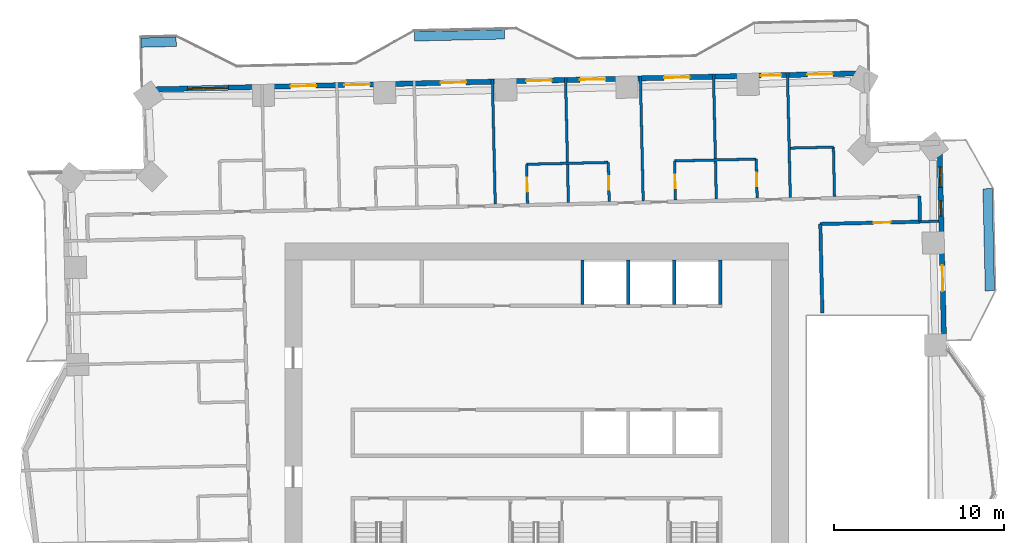
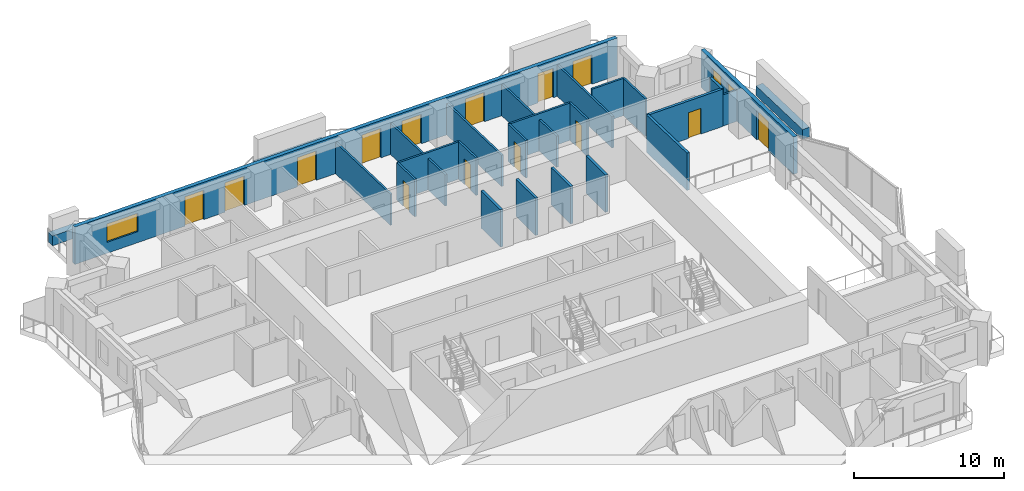
# One storey, part 11 of 16: 26 walls, 14 doors, 3 windows, 17 openings.
"""IFC4 building model written with IfcOpenShell, lengths in metres."""

from ifc_helpers import new_model, si_unit, direction, frame, frame_2d, origin, place, context, subcontext, project, spatial, rectangle, extrude, material, layer, layer_set, type_object, element, fill, save


model = new_model("IFC4")

# Units and contexts
model_context = context("Model", 3, precision=1e-05, world=origin(), true_north=direction((0.0, 1.0)))
body_context = subcontext(model_context, "Body", "Model", "MODEL_VIEW")
ifc_project = project(units=[si_unit("LENGTHUNIT", "METRE"), si_unit("AREAUNIT", "SQUARE_METRE"), si_unit("VOLUMEUNIT", "CUBIC_METRE"), si_unit("PLANEANGLEUNIT", "RADIAN"), si_unit("MASSUNIT", "GRAM", prefix="KILO")], contexts=[model_context])

# Site, building, storey
site_placement = place(None, origin())
site = spatial("IfcSite", under=ifc_project, at=site_placement, CompositionType="ELEMENT")
building_placement = place(site_placement, origin())
building = spatial("IfcBuilding", under=site, at=building_placement, Name="Mangrove Gate Tower", CompositionType="ELEMENT")
storey_placement = place(building_placement, frame((0.0, 0.0, 133.699951171875)))
storey = spatial("IfcBuildingStorey", under=building, at=storey_placement, Name="L33", CompositionType="ELEMENT", Elevation=133.699951171875)

# Walls
ifc_material_1 = material(Name="Concrete C70/85", Category="concrete")
ifc_layer_1 = layer(ifc_material_1, 0.199951171875)
ifc_layer_set_1 = layer_set([ifc_layer_1], Name="Core shaft wall 200 C70/85")
wall_type_1 = type_object("IfcWallType", Name="Core shaft wall 200 C70/85", PredefinedType="SHEAR", material=ifc_layer_set_1)
for number, where, z_axis, x_axis, name in (
    (1, (2.699951171875, 8.199951171875, 0.0), (0.0, 0.0, 1.0), (0.0, 1.0, 0.0), "WALL-L33-CORE-26"),
    (2, (5.39990234375, 8.199951171875, 0.0), (0.0, 0.0, 1.0), (0.0, 1.0, 0.0), "WALL-L33-CORE-27"),
    (3, (8.10009765625, 8.199951171875, 0.0), (0.0, 0.0, 1.0), (0.0, 1.0, 0.0), "WALL-L33-CORE-28"),
    (4, (10.800048828125, 8.199951171875, 0.0), (0.0, 0.0, 1.0), (0.0, 1.0, 0.0), "WALL-L33-CORE-29"),
):
    element("IfcWall", number, at=place(storey_placement, frame(where, z_axis=z_axis, x_axis=x_axis)), inside=storey, type_object=wall_type_1, Name=name, PredefinedType="SHEAR", context=body_context, shape_type="SweptSolid", body=[
        extrude(rectangle(XDim=2.60009765625, YDim=0.199951171875, at=frame_2d((1.300048828125, 0.0))), origin(), (0.0, 0.0, 1.0), 3.050048828125),
    ])
ifc_material_2 = material(Name="Gypsum board on steel stud, EI 60", Category="steel")
ifc_layer_2 = layer(ifc_material_2, 0.199951171875)
ifc_layer_set_2 = layer_set([ifc_layer_2], Name="Corridor wall EI 60")
wall_type_2 = type_object("IfcWallType", Name="Corridor wall EI 60", PredefinedType="PARTITIONING", material=ifc_layer_set_2)
wall_1_placement = place(storey_placement, frame((16.802978515625, 7.675048828125, 0.0), z_axis=(0.0, 0.0, 1.0), x_axis=(-0.022667483124, 0.999743059595, 0.0)))
element("IfcWall", 5, at=wall_1_placement, inside=storey, type_object=wall_type_2, Name="WALL-L33-050", PredefinedType="PARTITIONING", context=body_context, shape_type="SweptSolid", body=[
    extrude(rectangle(XDim=5.245361328125, YDim=0.199951171875, at=frame_2d((2.62255859375, 0.0))), origin(), (0.0, 0.0, 1.0), 3.050048828125),
])

# Wall, opening, door
wall_2_placement = place(storey_placement, frame((16.678955078125, 12.91796875, 0.0), z_axis=(0.0, 0.0, 1.0), x_axis=(0.999739057042, 0.022843332181, 0.0)))
wall_2 = element("IfcWall", 6, at=wall_2_placement, inside=storey, type_object=wall_type_2, Name="WALL-L33-057", PredefinedType="PARTITIONING", context=body_context, shape_type="SweptSolid", body=[
    extrude(rectangle(XDim=5.867431640625, YDim=0.199951171875, at=frame_2d((2.93359375, 0.0))), origin(), (0.0, 0.0, 1.0), 3.050048828125),
])
opening_1_placement = place(wall_2_placement, frame((3.134033203125, 0.0, 0.0)))
opening_1 = element("IfcOpeningElement", 7, at=opening_1_placement, cuts=wall_2, Name="Opening AD", PredefinedType="OPENING", context=body_context, shape_type="SweptSolid", body=[
    extrude(rectangle(XDim=1.0, YDim=2.10009765625, at=frame_2d((0.5, 1.050048828125))), frame((0.0, 0.10986328125, 0.0), z_axis=(0.0, -1.0, 0.0), x_axis=(1.0, 0.0, 0.0)), (0.0, 0.0, 1.0), 0.219970703125),
])
ifc_material_3 = material(Name="Timber door leaf", Category="wood")
door_type_1 = type_object("IfcDoorType", Name="Amenity door 1000", OperationType="SINGLE_SWING_LEFT", PredefinedType="DOOR", material=ifc_material_3)
door_1_placement = place(opening_1_placement, origin())
door_1 = element("IfcDoor", 8, at=door_1_placement, inside=storey, type_object=door_type_1, Name="DOOR-L33-GAM-c3a", OperationType="SINGLE_SWING_LEFT", OverallHeight=2.10009765625, OverallWidth=1.0, PredefinedType="DOOR", context=body_context, shape_type="SweptSolid", body=[
    extrude(rectangle(XDim=1.0, YDim=2.10009765625, at=frame_2d((0.5, 1.050048828125))), frame((0.0, 0.02490234375, 0.0), z_axis=(0.0, -1.0, 0.0), x_axis=(1.0, 0.0, 0.0)), (0.0, 0.0, 1.0), 0.050048828125),
])
fill(opening_1, door_1)

# Wall
wall_3_placement = place(storey_placement, frame((22.54296875, 13.052001953125, 0.0), z_axis=(0.0, 0.0, 1.0), x_axis=(-0.022632637625, 0.99974384905, 0.0)))
element("IfcWall", 9, at=wall_3_placement, inside=storey, type_object=wall_type_2, Name="WALL-L33-058", PredefinedType="PARTITIONING", context=body_context, shape_type="SweptSolid", body=[
    extrude(rectangle(XDim=1.49951171875, YDim=0.199951171875, at=frame_2d((0.749755859375, 0.0))), origin(), (0.0, 0.0, 1.0), 3.050048828125),
])

# Wall, openings, door, windows
ifc_material_4 = material(Name="Limestone", Category="masonry")
ifc_layer_3 = layer(ifc_material_4, 0.0400390625, Name="Limestone cladding")
ifc_material_5 = material(Name="Ventilated air gap")
ifc_layer_4 = layer(ifc_material_5, 0.0400390625, Name="Ventilated cavity")
ifc_material_6 = material(Name="Mineral wool insulation")
ifc_layer_5 = layer(ifc_material_6, 0.06005859375, Name="Insulation")
ifc_material_7 = material(Name="Breather membrane")
ifc_layer_6 = layer(ifc_material_7, 0.001953125, Name="Breather membrane")
ifc_material_8 = material(Name="Concrete C20/25 blockwork", Category="masonry")
ifc_layer_7 = layer(ifc_material_8, 0.14990234375, Name="Blockwork backing wall")
ifc_material_9 = material(Name="Gypsum plaster")
ifc_layer_8 = layer(ifc_material_9, 0.008056640625, Name="Internal plaster")
ifc_layer_set_3 = layer_set([ifc_layer_3, ifc_layer_4, ifc_layer_5, ifc_layer_6, ifc_layer_7, ifc_layer_8], Name="External wall 300 limestone cladding")
wall_type_3 = type_object("IfcWallType", Name="External wall 300 limestone cladding", PredefinedType="SOLIDWALL", material=ifc_layer_set_3)
wall_4_placement = place(storey_placement, frame((23.9609375, 5.751953125, 0.0), z_axis=(0.0, 0.0, 1.0), x_axis=(-0.022715362207, 0.999741972871, 0.0)))
wall_4 = element("IfcWall", 10, at=wall_4_placement, inside=storey, type_object=wall_type_3, Name="WALL-L33-E2", PredefinedType="SOLIDWALL", context=body_context, shape_type="SweptSolid", body=[
    extrude(rectangle(XDim=11.93017578125, YDim=0.300048828125, at=frame_2d((5.965087890625, 0.0))), origin(), (0.0, 0.0, 1.0), 3.050048828125),
])
opening_2_placement = place(wall_4_placement, frame((3.22802734375, 0.0, 0.0)))
opening_2 = element("IfcOpeningElement", 11, at=opening_2_placement, cuts=wall_4, Name="Opening BD1", PredefinedType="OPENING", context=body_context, shape_type="SweptSolid", body=[
    extrude(rectangle(XDim=1.5, YDim=2.39990234375, at=frame_2d((0.75, 1.199951171875))), frame((0.0, 0.159912109375, 0.0), z_axis=(0.0, -1.0, 0.0), x_axis=(1.0, 0.0, 0.0)), (0.0, 0.0, 1.0), 0.320068359375),
])
opening_3_placement = place(wall_4_placement, frame((7.62890625, 0.0, 0.89990234375)))
opening_3 = element("IfcOpeningElement", 12, at=opening_3_placement, cuts=wall_4, Name="Opening W5", PredefinedType="OPENING", context=body_context, shape_type="SweptSolid", body=[
    extrude(rectangle(XDim=0.89990234375, YDim=1.5, at=frame_2d((0.449951171875, 0.75))), frame((0.0, 0.159912109375, 0.0), z_axis=(0.0, -1.0, 0.0), x_axis=(1.0, 0.0, 0.0)), (0.0, 0.0, 1.0), 0.320068359375),
])
opening_4_placement = place(wall_4_placement, frame((9.31591796875, 0.0, 0.89990234375)))
opening_4 = element("IfcOpeningElement", 13, at=opening_4_placement, cuts=wall_4, Name="Opening W1", PredefinedType="OPENING", context=body_context, shape_type="SweptSolid", body=[
    extrude(rectangle(XDim=1.199951171875, YDim=1.5, at=frame_2d((0.60009765625, 0.75))), frame((0.0, 0.159912109375, 0.0), z_axis=(0.0, -1.0, 0.0), x_axis=(1.0, 0.0, 0.0)), (0.0, 0.0, 1.0), 0.320068359375),
])
ifc_material_10 = material(Name="Aluminium frame with laminated clear glass", Category="aluminium")
door_type_2 = type_object("IfcDoorType", Name="Balcony sliding door 1500x2400", OperationType="SLIDING_TO_LEFT", PredefinedType="DOOR", material=ifc_material_10)
door_2_placement = place(opening_2_placement, origin())
door_2 = element("IfcDoor", 14, at=door_2_placement, inside=storey, type_object=door_type_2, Name="DOOR-L33-E2-1", OperationType="SLIDING_TO_LEFT", OverallHeight=2.39990234375, OverallWidth=1.5, PredefinedType="DOOR", context=body_context, shape_type="SweptSolid", body=[
    extrude(rectangle(XDim=1.5, YDim=2.39990234375, at=frame_2d((0.75, 1.199951171875))), frame((0.0, 0.02490234375, 0.0), z_axis=(0.0, -1.0, 0.0), x_axis=(1.0, 0.0, 0.0)), (0.0, 0.0, 1.0), 0.050048828125),
])
fill(opening_2, door_2)
ifc_material_11 = material(Name="Aluminium frame with double-glazed low-e glass", Category="aluminium")
window_type_1 = type_object("IfcWindowType", Name="Narrow window 900x1500", PartitioningType="SINGLE_PANEL", PredefinedType="WINDOW", material=ifc_material_11)
window_1_placement = place(opening_3_placement, origin())
window_1 = element("IfcWindow", 15, at=window_1_placement, inside=storey, type_object=window_type_1, Name="WIN-L33-E2-2", OverallHeight=1.5, OverallWidth=0.89990234375, PartitioningType="SINGLE_PANEL", PredefinedType="WINDOW", context=body_context, shape_type="SweptSolid", body=[
    extrude(rectangle(XDim=0.89990234375, YDim=1.5, at=frame_2d((0.449951171875, 0.75))), frame((0.0, 0.030029296875, 0.0), z_axis=(0.0, -1.0, 0.0), x_axis=(1.0, 0.0, 0.0)), (0.0, 0.0, 1.0), 0.06005859375),
])
fill(opening_3, window_1)
ifc_material_12 = material(Name="Aluminium frame with double-glazed low-e glass", Category="aluminium")
window_type_2 = type_object("IfcWindowType", Name="Side lite 1200x1500", PartitioningType="SINGLE_PANEL", PredefinedType="WINDOW", material=ifc_material_12)
window_2_placement = place(opening_4_placement, origin())
window_2 = element("IfcWindow", 16, at=window_2_placement, inside=storey, type_object=window_type_2, Name="WIN-L33-E2-3", OverallHeight=1.5, OverallWidth=1.199951171875, PartitioningType="SINGLE_PANEL", PredefinedType="WINDOW", context=body_context, shape_type="SweptSolid", body=[
    extrude(rectangle(XDim=1.199951171875, YDim=1.5, at=frame_2d((0.60009765625, 0.75))), frame((0.0, 0.030029296875, 0.0), z_axis=(0.0, -1.0, 0.0), x_axis=(1.0, 0.0, 0.0)), (0.0, 0.0, 1.0), 0.06005859375),
])
fill(opening_4, window_2)

# Wall, openings, doors, window
wall_5_placement = place(storey_placement, frame((19.39599609375, 21.781982421875, 0.0), z_axis=(0.0, 0.0, 1.0), x_axis=(-0.999742636707, -0.022686126826, 0.0)))
wall_5 = element("IfcWall", 17, at=wall_5_placement, inside=storey, type_object=wall_type_3, Name="WALL-L33-N5", PredefinedType="SOLIDWALL", context=body_context, shape_type="SweptSolid", body=[
    extrude(rectangle(XDim=42.444091796875, YDim=0.300048828125, at=frame_2d((21.22216796875, 0.0))), origin(), (0.0, 0.0, 1.0), 3.050048828125),
])
opening_5_placement = place(wall_5_placement, frame((1.98193359375, 0.0, 0.0)))
opening_5 = element("IfcOpeningElement", 18, at=opening_5_placement, cuts=wall_5, Name="Opening BD1", PredefinedType="OPENING", context=body_context, shape_type="SweptSolid", body=[
    extrude(rectangle(XDim=1.5, YDim=2.39990234375, at=frame_2d((0.75, 1.199951171875))), frame((0.0, 0.159912109375, 0.0), z_axis=(0.0, -1.0, 0.0), x_axis=(1.0, 0.0, 0.0)), (0.0, 0.0, 1.0), 0.320068359375),
])
opening_6_placement = place(wall_5_placement, frame((5.009033203125, 0.0, 0.0)))
opening_6 = element("IfcOpeningElement", 19, at=opening_6_placement, cuts=wall_5, Name="Opening BD2", PredefinedType="OPENING", context=body_context, shape_type="SweptSolid", body=[
    extrude(rectangle(XDim=1.199951171875, YDim=2.39990234375, at=frame_2d((0.60009765625, 1.199951171875))), frame((0.0, 0.159912109375, 0.0), z_axis=(0.0, -1.0, 0.0), x_axis=(1.0, 0.0, 0.0)), (0.0, 0.0, 1.0), 0.320068359375),
])
opening_7_placement = place(wall_5_placement, frame((10.39404296875, 0.0, 0.0)))
opening_7 = element("IfcOpeningElement", 20, at=opening_7_placement, cuts=wall_5, Name="Opening BD1", PredefinedType="OPENING", context=body_context, shape_type="SweptSolid", body=[
    extrude(rectangle(XDim=1.5, YDim=2.39990234375, at=frame_2d((0.75, 1.199951171875))), frame((0.0, 0.159912109375, 0.0), z_axis=(0.0, -1.0, 0.0), x_axis=(1.0, 0.0, 0.0)), (0.0, 0.0, 1.0), 0.320068359375),
])
opening_8_placement = place(wall_5_placement, frame((15.345947265625, 0.0, 0.0)))
opening_8 = element("IfcOpeningElement", 21, at=opening_8_placement, cuts=wall_5, Name="Opening BD1", PredefinedType="OPENING", context=body_context, shape_type="SweptSolid", body=[
    extrude(rectangle(XDim=1.5, YDim=2.39990234375, at=frame_2d((0.75, 1.199951171875))), frame((0.0, 0.159912109375, 0.0), z_axis=(0.0, -1.0, 0.0), x_axis=(1.0, 0.0, 0.0)), (0.0, 0.0, 1.0), 0.320068359375),
])
opening_9_placement = place(wall_5_placement, frame((18.508056640625, 0.0, 0.0)))
opening_9 = element("IfcOpeningElement", 22, at=opening_9_placement, cuts=wall_5, Name="Opening BD1", PredefinedType="OPENING", context=body_context, shape_type="SweptSolid", body=[
    extrude(rectangle(XDim=1.5, YDim=2.39990234375, at=frame_2d((0.75, 1.199951171875))), frame((0.0, 0.159912109375, 0.0), z_axis=(0.0, -1.0, 0.0), x_axis=(1.0, 0.0, 0.0)), (0.0, 0.0, 1.0), 0.320068359375),
])
opening_10_placement = place(wall_5_placement, frame((23.5439453125, 0.0, 0.0)))
opening_10 = element("IfcOpeningElement", 23, at=opening_10_placement, cuts=wall_5, Name="Opening BD1", PredefinedType="OPENING", context=body_context, shape_type="SweptSolid", body=[
    extrude(rectangle(XDim=1.5, YDim=2.39990234375, at=frame_2d((0.75, 1.199951171875))), frame((0.0, 0.159912109375, 0.0), z_axis=(0.0, -1.0, 0.0), x_axis=(1.0, 0.0, 0.0)), (0.0, 0.0, 1.0), 0.320068359375),
])
opening_11_placement = place(wall_5_placement, frame((29.195068359375, 0.0, 0.0)))
opening_11 = element("IfcOpeningElement", 24, at=opening_11_placement, cuts=wall_5, Name="Opening BD1", PredefinedType="OPENING", context=body_context, shape_type="SweptSolid", body=[
    extrude(rectangle(XDim=1.5, YDim=2.39990234375, at=frame_2d((0.75, 1.199951171875))), frame((0.0, 0.159912109375, 0.0), z_axis=(0.0, -1.0, 0.0), x_axis=(1.0, 0.0, 0.0)), (0.0, 0.0, 1.0), 0.320068359375),
])
opening_12_placement = place(wall_5_placement, frame((32.35693359375, 0.0, 0.0)))
opening_12 = element("IfcOpeningElement", 25, at=opening_12_placement, cuts=wall_5, Name="Opening BD1", PredefinedType="OPENING", context=body_context, shape_type="SweptSolid", body=[
    extrude(rectangle(XDim=1.5, YDim=2.39990234375, at=frame_2d((0.75, 1.199951171875))), frame((0.0, 0.159912109375, 0.0), z_axis=(0.0, -1.0, 0.0), x_axis=(1.0, 0.0, 0.0)), (0.0, 0.0, 1.0), 0.320068359375),
])
opening_13_placement = place(wall_5_placement, frame((37.52392578125, 0.0, 0.89990234375)))
opening_13 = element("IfcOpeningElement", 26, at=opening_13_placement, cuts=wall_5, Name="Opening W2", PredefinedType="OPENING", context=body_context, shape_type="SweptSolid", body=[
    extrude(rectangle(XDim=2.39990234375, YDim=1.5, at=frame_2d((1.199951171875, 0.75))), frame((0.0, 0.159912109375, 0.0), z_axis=(0.0, -1.0, 0.0), x_axis=(1.0, 0.0, 0.0)), (0.0, 0.0, 1.0), 0.320068359375),
])
ifc_material_13 = material(Name="Aluminium frame with laminated clear glass", Category="aluminium")
door_type_3 = type_object("IfcDoorType", Name="Balcony sliding door 1200x2400", OperationType="SLIDING_TO_LEFT", PredefinedType="DOOR", material=ifc_material_13)
door_3_placement = place(opening_6_placement, origin())
door_3 = element("IfcDoor", 27, at=door_3_placement, inside=storey, type_object=door_type_3, Name="DOOR-L33-N5-2", OperationType="SLIDING_TO_LEFT", OverallHeight=2.39990234375, OverallWidth=1.199951171875, PredefinedType="DOOR", context=body_context, shape_type="SweptSolid", body=[
    extrude(rectangle(XDim=1.199951171875, YDim=2.39990234375, at=frame_2d((0.60009765625, 1.199951171875))), frame((0.0, 0.02490234375, 0.0), z_axis=(0.0, -1.0, 0.0), x_axis=(1.0, 0.0, 0.0)), (0.0, 0.0, 1.0), 0.050048828125),
])
fill(opening_6, door_3)
door_4_placement = place(opening_5_placement, origin())
door_4 = element("IfcDoor", 28, at=door_4_placement, inside=storey, type_object=door_type_2, Name="DOOR-L33-N5-1", OperationType="SLIDING_TO_LEFT", OverallHeight=2.39990234375, OverallWidth=1.5, PredefinedType="DOOR", context=body_context, shape_type="SweptSolid", body=[
    extrude(rectangle(XDim=1.5, YDim=2.39990234375, at=frame_2d((0.75, 1.199951171875))), frame((0.0, 0.02490234375, 0.0), z_axis=(0.0, -1.0, 0.0), x_axis=(1.0, 0.0, 0.0)), (0.0, 0.0, 1.0), 0.050048828125),
])
fill(opening_5, door_4)
door_5_placement = place(opening_7_placement, origin())
door_5 = element("IfcDoor", 29, at=door_5_placement, inside=storey, type_object=door_type_2, Name="DOOR-L33-N5-3", OperationType="SLIDING_TO_LEFT", OverallHeight=2.39990234375, OverallWidth=1.5, PredefinedType="DOOR", context=body_context, shape_type="SweptSolid", body=[
    extrude(rectangle(XDim=1.5, YDim=2.39990234375, at=frame_2d((0.75, 1.199951171875))), frame((0.0, 0.02490234375, 0.0), z_axis=(0.0, -1.0, 0.0), x_axis=(1.0, 0.0, 0.0)), (0.0, 0.0, 1.0), 0.050048828125),
])
fill(opening_7, door_5)
door_6_placement = place(opening_8_placement, origin())
door_6 = element("IfcDoor", 30, at=door_6_placement, inside=storey, type_object=door_type_2, Name="DOOR-L33-N5-4", OperationType="SLIDING_TO_LEFT", OverallHeight=2.39990234375, OverallWidth=1.5, PredefinedType="DOOR", context=body_context, shape_type="SweptSolid", body=[
    extrude(rectangle(XDim=1.5, YDim=2.39990234375, at=frame_2d((0.75, 1.199951171875))), frame((0.0, 0.02490234375, 0.0), z_axis=(0.0, -1.0, 0.0), x_axis=(1.0, 0.0, 0.0)), (0.0, 0.0, 1.0), 0.050048828125),
])
fill(opening_8, door_6)
door_7_placement = place(opening_9_placement, origin())
door_7 = element("IfcDoor", 31, at=door_7_placement, inside=storey, type_object=door_type_2, Name="DOOR-L33-N5-5", OperationType="SLIDING_TO_LEFT", OverallHeight=2.39990234375, OverallWidth=1.5, PredefinedType="DOOR", context=body_context, shape_type="SweptSolid", body=[
    extrude(rectangle(XDim=1.5, YDim=2.39990234375, at=frame_2d((0.75, 1.199951171875))), frame((0.0, 0.02490234375, 0.0), z_axis=(0.0, -1.0, 0.0), x_axis=(1.0, 0.0, 0.0)), (0.0, 0.0, 1.0), 0.050048828125),
])
fill(opening_9, door_7)
door_8_placement = place(opening_10_placement, origin())
door_8 = element("IfcDoor", 32, at=door_8_placement, inside=storey, type_object=door_type_2, Name="DOOR-L33-N5-6", OperationType="SLIDING_TO_LEFT", OverallHeight=2.39990234375, OverallWidth=1.5, PredefinedType="DOOR", context=body_context, shape_type="SweptSolid", body=[
    extrude(rectangle(XDim=1.5, YDim=2.39990234375, at=frame_2d((0.75, 1.199951171875))), frame((0.0, 0.02490234375, 0.0), z_axis=(0.0, -1.0, 0.0), x_axis=(1.0, 0.0, 0.0)), (0.0, 0.0, 1.0), 0.050048828125),
])
fill(opening_10, door_8)
door_9_placement = place(opening_11_placement, origin())
door_9 = element("IfcDoor", 33, at=door_9_placement, inside=storey, type_object=door_type_2, Name="DOOR-L33-N5-7", OperationType="SLIDING_TO_LEFT", OverallHeight=2.39990234375, OverallWidth=1.5, PredefinedType="DOOR", context=body_context, shape_type="SweptSolid", body=[
    extrude(rectangle(XDim=1.5, YDim=2.39990234375, at=frame_2d((0.75, 1.199951171875))), frame((0.0, 0.02490234375, 0.0), z_axis=(0.0, -1.0, 0.0), x_axis=(1.0, 0.0, 0.0)), (0.0, 0.0, 1.0), 0.050048828125),
])
fill(opening_11, door_9)
door_10_placement = place(opening_12_placement, origin())
door_10 = element("IfcDoor", 34, at=door_10_placement, inside=storey, type_object=door_type_2, Name="DOOR-L33-N5-8", OperationType="SLIDING_TO_LEFT", OverallHeight=2.39990234375, OverallWidth=1.5, PredefinedType="DOOR", context=body_context, shape_type="SweptSolid", body=[
    extrude(rectangle(XDim=1.5, YDim=2.39990234375, at=frame_2d((0.75, 1.199951171875))), frame((0.0, 0.02490234375, 0.0), z_axis=(0.0, -1.0, 0.0), x_axis=(1.0, 0.0, 0.0)), (0.0, 0.0, 1.0), 0.050048828125),
])
fill(opening_12, door_10)
ifc_material_14 = material(Name="Aluminium frame with double-glazed low-e glass", Category="aluminium")
window_type_3 = type_object("IfcWindowType", Name="Corner room window 2400x1500", PartitioningType="DOUBLE_PANEL_VERTICAL", PredefinedType="WINDOW", material=ifc_material_14)
window_3_placement = place(opening_13_placement, origin())
window_3 = element("IfcWindow", 35, at=window_3_placement, inside=storey, type_object=window_type_3, Name="WIN-L33-N5-9", OverallHeight=1.5, OverallWidth=2.39990234375, PartitioningType="DOUBLE_PANEL_VERTICAL", PredefinedType="WINDOW", context=body_context, shape_type="SweptSolid", body=[
    extrude(rectangle(XDim=2.39990234375, YDim=1.5, at=frame_2d((1.199951171875, 0.75))), frame((0.0, 0.030029296875, 0.0), z_axis=(0.0, -1.0, 0.0), x_axis=(1.0, 0.0, 0.0)), (0.0, 0.0, 1.0), 0.06005859375),
])
fill(opening_13, window_3)

# Walls
ifc_material_15 = material(Name="Gypsum board on steel stud, EI 60", Category="steel")
ifc_layer_9 = layer(ifc_material_15, 0.14990234375)
ifc_layer_set_4 = layer_set([ifc_layer_9], Name="Party wall 150 EI 60")
wall_type_4 = type_object("IfcWallType", Name="Party wall 150 EI 60", PredefinedType="PARTITIONING", material=ifc_layer_set_4)
wall_6_placement = place(storey_placement, frame((22.544921875, 13.052001953125, 0.0), z_axis=(0.0, 0.0, 1.0), x_axis=(0.999743438074, 0.022650784248, 0.0)))
element("IfcWall", 36, at=wall_6_placement, inside=storey, type_object=wall_type_4, Name="WALL-L33-059", PredefinedType="PARTITIONING", context=body_context, shape_type="SweptSolid", body=[
    extrude(rectangle(XDim=1.099365234375, YDim=0.14990234375, at=frame_2d((0.5498046875, 0.0))), origin(), (0.0, 0.0, 1.0), 2.550048828125),
])
wall_7_placement = place(storey_placement, frame((-2.427001953125, 14.0849609375, 0.0), z_axis=(0.0, 0.0, 1.0), x_axis=(-0.022719896304, 0.99974186984, 0.0)))
element("IfcWall", 37, at=wall_7_placement, inside=storey, type_object=wall_type_4, Name="WALL-L33-068", PredefinedType="PARTITIONING", context=body_context, shape_type="SweptSolid", body=[
    extrude(rectangle(XDim=7.35009765625, YDim=0.14990234375, at=frame_2d((3.675048828125, 0.0))), origin(), (0.0, 0.0, 1.0), 2.550048828125),
])

# Wall, opening, door
wall_8_placement = place(storey_placement, frame((-0.528076171875, 14.1279296875, 0.0), z_axis=(0.0, 0.0, 1.0), x_axis=(-0.022603288534, 0.999744513037, 0.0)))
wall_8 = element("IfcWall", 38, at=wall_8_placement, inside=storey, type_object=wall_type_4, Name="WALL-L33-069", PredefinedType="PARTITIONING", context=body_context, shape_type="SweptSolid", body=[
    extrude(rectangle(XDim=2.300537109375, YDim=0.14990234375, at=frame_2d((1.150390625, 0.0))), origin(), (0.0, 0.0, 1.0), 3.050048828125),
])
opening_14_placement = place(wall_8_placement, frame((0.699951171875, 0.0, 0.0)))
opening_14 = element("IfcOpeningElement", 39, at=opening_14_placement, cuts=wall_8, Name="Opening ED", PredefinedType="OPENING", context=body_context, shape_type="SweptSolid", body=[
    extrude(rectangle(XDim=0.800048828125, YDim=2.10009765625, at=frame_2d((0.39990234375, 1.050048828125))), frame((0.0, 0.0849609375, 0.0), z_axis=(0.0, -1.0, 0.0), x_axis=(1.0, 0.0, 0.0)), (0.0, 0.0, 1.0), 0.169921875),
])
ifc_material_16 = material(Name="Timber door leaf", Category="wood")
door_type_4 = type_object("IfcDoorType", Name="En-suite door 800", OperationType="SINGLE_SWING_LEFT", PredefinedType="DOOR", material=ifc_material_16)
door_11_placement = place(opening_14_placement, origin())
door_11 = element("IfcDoor", 40, at=door_11_placement, inside=storey, type_object=door_type_4, Name="DOOR-L33-ENS-c412", OperationType="SINGLE_SWING_RIGHT", OverallHeight=2.10009765625, OverallWidth=0.800048828125, PredefinedType="DOOR", context=body_context, shape_type="SweptSolid", body=[
    extrude(rectangle(XDim=0.800048828125, YDim=2.10009765625, at=frame_2d((0.39990234375, 1.050048828125))), frame((0.0, 0.02490234375, 0.0), z_axis=(0.0, -1.0, 0.0), x_axis=(1.0, 0.0, 0.0)), (0.0, 0.0, 1.0), 0.050048828125),
])
fill(opening_14, door_11)

# Wall
wall_9_placement = place(storey_placement, frame((1.8720703125, 14.18310546875, 0.0), z_axis=(0.0, 0.0, 1.0), x_axis=(-0.022720650804, 0.999741852694, 0.0)))
element("IfcWall", 41, at=wall_9_placement, inside=storey, type_object=wall_type_4, Name="WALL-L33-070", PredefinedType="PARTITIONING", context=body_context, shape_type="SweptSolid", body=[
    extrude(rectangle(XDim=7.349853515625, YDim=0.14990234375, at=frame_2d((3.6748046875, 0.0))), origin(), (0.0, 0.0, 1.0), 2.550048828125),
])

# Wall, opening, door
wall_10_placement = place(storey_placement, frame((4.27099609375, 14.237060546875, 0.0), z_axis=(0.0, 0.0, 1.0), x_axis=(-0.022603288534, 0.999744513037, 0.0)))
wall_10 = element("IfcWall", 42, at=wall_10_placement, inside=storey, type_object=wall_type_4, Name="WALL-L33-071", PredefinedType="PARTITIONING", context=body_context, shape_type="SweptSolid", body=[
    extrude(rectangle(XDim=2.300537109375, YDim=0.14990234375, at=frame_2d((1.150390625, 0.0))), origin(), (0.0, 0.0, 1.0), 3.050048828125),
])
opening_15_placement = place(wall_10_placement, frame((0.699951171875, 0.0, 0.0)))
opening_15 = element("IfcOpeningElement", 43, at=opening_15_placement, cuts=wall_10, Name="Opening ED", PredefinedType="OPENING", context=body_context, shape_type="SweptSolid", body=[
    extrude(rectangle(XDim=0.800048828125, YDim=2.10009765625, at=frame_2d((0.39990234375, 1.050048828125))), frame((0.0, 0.0849609375, 0.0), z_axis=(0.0, -1.0, 0.0), x_axis=(1.0, 0.0, 0.0)), (0.0, 0.0, 1.0), 0.169921875),
])
door_12_placement = place(opening_15_placement, origin())
door_12 = element("IfcDoor", 44, at=door_12_placement, inside=storey, type_object=door_type_4, Name="DOOR-L33-ENS-c411", OperationType="SINGLE_SWING_LEFT", OverallHeight=2.10009765625, OverallWidth=0.800048828125, PredefinedType="DOOR", context=body_context, shape_type="SweptSolid", body=[
    extrude(rectangle(XDim=0.800048828125, YDim=2.10009765625, at=frame_2d((0.39990234375, 1.050048828125))), frame((0.0, 0.02490234375, 0.0), z_axis=(0.0, -1.0, 0.0), x_axis=(1.0, 0.0, 0.0)), (0.0, 0.0, 1.0), 0.050048828125),
])
fill(opening_15, door_12)

# Wall
wall_11_placement = place(storey_placement, frame((6.27099609375, 14.282958984375, 0.0), z_axis=(0.0, 0.0, 1.0), x_axis=(-0.022719896304, 0.99974186984, 0.0)))
element("IfcWall", 45, at=wall_11_placement, inside=storey, type_object=wall_type_4, Name="WALL-L33-072", PredefinedType="PARTITIONING", context=body_context, shape_type="SweptSolid", body=[
    extrude(rectangle(XDim=7.35009765625, YDim=0.14990234375, at=frame_2d((3.675048828125, 0.0))), origin(), (0.0, 0.0, 1.0), 2.550048828125),
])

# Wall, opening, door
wall_12_placement = place(storey_placement, frame((8.169921875, 14.325927734375, 0.0), z_axis=(0.0, 0.0, 1.0), x_axis=(-0.022612884682, 0.999744296031, 0.0)))
wall_12 = element("IfcWall", 46, at=wall_12_placement, inside=storey, type_object=wall_type_4, Name="WALL-L33-073", PredefinedType="PARTITIONING", context=body_context, shape_type="SweptSolid", body=[
    extrude(rectangle(XDim=2.299560546875, YDim=0.14990234375, at=frame_2d((1.14990234375, 0.0))), origin(), (0.0, 0.0, 1.0), 3.050048828125),
])
opening_16_placement = place(wall_12_placement, frame((0.699951171875, 0.0, 0.0)))
opening_16 = element("IfcOpeningElement", 47, at=opening_16_placement, cuts=wall_12, Name="Opening ED", PredefinedType="OPENING", context=body_context, shape_type="SweptSolid", body=[
    extrude(rectangle(XDim=0.800048828125, YDim=2.10009765625, at=frame_2d((0.39990234375, 1.050048828125))), frame((0.0, 0.0849609375, 0.0), z_axis=(0.0, -1.0, 0.0), x_axis=(1.0, 0.0, 0.0)), (0.0, 0.0, 1.0), 0.169921875),
])
door_13_placement = place(opening_16_placement, origin())
door_13 = element("IfcDoor", 48, at=door_13_placement, inside=storey, type_object=door_type_4, Name="DOOR-L33-ENS-c410", OperationType="SINGLE_SWING_RIGHT", OverallHeight=2.10009765625, OverallWidth=0.800048828125, PredefinedType="DOOR", context=body_context, shape_type="SweptSolid", body=[
    extrude(rectangle(XDim=0.800048828125, YDim=2.10009765625, at=frame_2d((0.39990234375, 1.050048828125))), frame((0.0, 0.02490234375, 0.0), z_axis=(0.0, -1.0, 0.0), x_axis=(1.0, 0.0, 0.0)), (0.0, 0.0, 1.0), 0.050048828125),
])
fill(opening_16, door_13)

# Wall
wall_13_placement = place(storey_placement, frame((10.569091796875, 14.3798828125, 0.0), z_axis=(0.0, 0.0, 1.0), x_axis=(-0.022587099398, 0.999744878927, 0.0)))
element("IfcWall", 49, at=wall_13_placement, inside=storey, type_object=wall_type_4, Name="WALL-L33-074", PredefinedType="PARTITIONING", context=body_context, shape_type="SweptSolid", body=[
    extrude(rectangle(XDim=7.35009765625, YDim=0.14990234375, at=frame_2d((3.675048828125, 0.0))), origin(), (0.0, 0.0, 1.0), 2.550048828125),
])

# Wall, opening, door
wall_14_placement = place(storey_placement, frame((12.968994140625, 14.43505859375, 0.0), z_axis=(0.0, 0.0, 1.0), x_axis=(-0.022615284993, 0.999744241736, 0.0)))
wall_14 = element("IfcWall", 50, at=wall_14_placement, inside=storey, type_object=wall_type_4, Name="WALL-L33-075", PredefinedType="PARTITIONING", context=body_context, shape_type="SweptSolid", body=[
    extrude(rectangle(XDim=2.29931640625, YDim=0.14990234375, at=frame_2d((1.149658203125, 0.0))), origin(), (0.0, 0.0, 1.0), 3.050048828125),
])
opening_17_placement = place(wall_14_placement, frame((0.699951171875, 0.0, 0.0)))
opening_17 = element("IfcOpeningElement", 51, at=opening_17_placement, cuts=wall_14, Name="Opening ED", PredefinedType="OPENING", context=body_context, shape_type="SweptSolid", body=[
    extrude(rectangle(XDim=0.800048828125, YDim=2.10009765625, at=frame_2d((0.39990234375, 1.050048828125))), frame((0.0, 0.0849609375, 0.0), z_axis=(0.0, -1.0, 0.0), x_axis=(1.0, 0.0, 0.0)), (0.0, 0.0, 1.0), 0.169921875),
])
door_14_placement = place(opening_17_placement, origin())
door_14 = element("IfcDoor", 52, at=door_14_placement, inside=storey, type_object=door_type_4, Name="DOOR-L33-ENS-c309", OperationType="SINGLE_SWING_LEFT", OverallHeight=2.10009765625, OverallWidth=0.800048828125, PredefinedType="DOOR", context=body_context, shape_type="SweptSolid", body=[
    extrude(rectangle(XDim=0.800048828125, YDim=2.10009765625, at=frame_2d((0.39990234375, 1.050048828125))), frame((0.0, 0.02490234375, 0.0), z_axis=(0.0, -1.0, 0.0), x_axis=(1.0, 0.0, 0.0)), (0.0, 0.0, 1.0), 0.050048828125),
])
fill(opening_17, door_14)

# Walls
wall_15_placement = place(storey_placement, frame((14.91796875, 14.47900390625, 0.0), z_axis=(0.0, 0.0, 1.0), x_axis=(-0.022587849492, 0.99974486198, 0.0)))
element("IfcWall", 53, at=wall_15_placement, inside=storey, type_object=wall_type_4, Name="WALL-L33-076", PredefinedType="PARTITIONING", context=body_context, shape_type="SweptSolid", body=[
    extrude(rectangle(XDim=7.349853515625, YDim=0.14990234375, at=frame_2d((3.6748046875, 0.0))), origin(), (0.0, 0.0, 1.0), 2.550048828125),
])
wall_16_placement = place(storey_placement, frame((17.51806640625, 14.5380859375, 0.0), z_axis=(0.0, 0.0, 1.0), x_axis=(-0.022817032779, 0.999739657619, 0.0)))
element("IfcWall", 54, at=wall_16_placement, inside=storey, type_object=wall_type_4, Name="WALL-L33-077", PredefinedType="PARTITIONING", context=body_context, shape_type="SweptSolid", body=[
    extrude(rectangle(XDim=2.899658203125, YDim=0.14990234375, at=frame_2d((1.44970703125, 0.0))), origin(), (0.0, 0.0, 1.0), 3.050048828125),
])
for number, where, z_axis, x_axis, name in (
    (55, (-0.58203125, 16.427978515625, 0.0), (0.0, 0.0, 1.0), (0.99974154664, 0.022734113616, 0.0), "WALL-L33-080"),
    (56, (8.115966796875, 16.625, 0.0), (0.0, 0.0, 1.0), (0.999742701292, 0.022683280499, 0.0), "WALL-L33-081"),
):
    element("IfcWall", number, at=place(storey_placement, frame(where, z_axis=z_axis, x_axis=x_axis)), inside=storey, type_object=wall_type_4, Name=name, PredefinedType="PARTITIONING", context=body_context, shape_type="SweptSolid", body=[
        extrude(rectangle(XDim=4.80029296875, YDim=0.14990234375, at=frame_2d((2.400146484375, 0.0))), origin(), (0.0, 0.0, 1.0), 3.050048828125),
    ])
wall_17_placement = place(storey_placement, frame((14.926025390625, 17.3798828125, 0.0), z_axis=(0.0, 0.0, 1.0), x_axis=(0.99974392816, 0.022629142889, 0.0)))
element("IfcWall", 57, at=wall_17_placement, inside=storey, type_object=wall_type_4, Name="WALL-L33-083", PredefinedType="PARTITIONING", context=body_context, shape_type="SweptSolid", body=[
    extrude(rectangle(XDim=2.524658203125, YDim=0.14990234375, at=frame_2d((1.26220703125, 0.0))), origin(), (0.0, 0.0, 1.0), 3.050048828125),
])
ifc_material_17 = material(Name="Concrete C32/40", Category="concrete")
ifc_layer_10 = layer(ifc_material_17, 0.199951171875, Name="Planter trough wall")
ifc_material_18 = material(Name="Bituminous waterproofing membrane")
ifc_layer_11 = layer(ifc_material_18, 0.0048828125, Name="Waterproofing")
ifc_material_19 = material(Name="Drainage board and gravel")
ifc_layer_12 = layer(ifc_material_19, 0.044921875, Name="Drainage layer")
ifc_material_20 = material(Name="Planting soil")
ifc_layer_13 = layer(ifc_material_20, 0.300048828125, Name="Growing medium")
ifc_layer_set_5 = layer_set([ifc_layer_10, ifc_layer_11, ifc_layer_12, ifc_layer_13], Name="Planter wall 550 C32/40")
wall_type_5 = type_object("IfcWallType", Name="Planter wall 550 C32/40", PredefinedType="USERDEFINED", material=ifc_layer_set_5)
wall_18_placement = place(storey_placement, frame((26.653076171875, 8.993896484375, 0.0), z_axis=(0.0, 0.0, 1.0), x_axis=(-0.022665943652, 0.999743094499, 0.0)))
element("IfcWall", 58, at=wall_18_placement, inside=storey, type_object=wall_type_5, Name="PLANTER L33 E1.1", ObjectType="PLANTER", PredefinedType="USERDEFINED", context=body_context, shape_type="SweptSolid", body=[
    extrude(rectangle(XDim=5.99951171875, YDim=0.550048828125, at=frame_2d((2.999755859375, 0.0))), origin(), (0.0, 0.0, 1.0), 0.800048828125),
])
wall_19_placement = place(storey_placement, frame((-23.25, 23.580078125, 0.0), z_axis=(0.0, 0.0, 1.0), x_axis=(0.999743960655, 0.022627707232, 0.0)))
element("IfcWall", 59, at=wall_19_placement, inside=storey, type_object=wall_type_5, Name="PLANTER L33 N1.1", ObjectType="PLANTER", PredefinedType="USERDEFINED", context=body_context, shape_type="SweptSolid", body=[
    extrude(rectangle(XDim=2.071533203125, YDim=0.550048828125, at=frame_2d((1.03564453125, 0.0))), origin(), (0.0, 0.0, 1.0), 0.800048828125),
])
wall_20_placement = place(storey_placement, frame((-7.181884765625, 23.945068359375, 0.0), z_axis=(0.0, 0.0, 1.0), x_axis=(0.999744113838, 0.022620938244, 0.0)))
element("IfcWall", 60, at=wall_20_placement, inside=storey, type_object=wall_type_5, Name="PLANTER L33 N1.2", ObjectType="PLANTER", PredefinedType="USERDEFINED", context=body_context, shape_type="SweptSolid", body=[
    extrude(rectangle(XDim=5.29931640625, YDim=0.550048828125, at=frame_2d((2.649658203125, 0.0))), origin(), (0.0, 0.0, 1.0), 0.800048828125),
])

save(model, "model.ifc")
